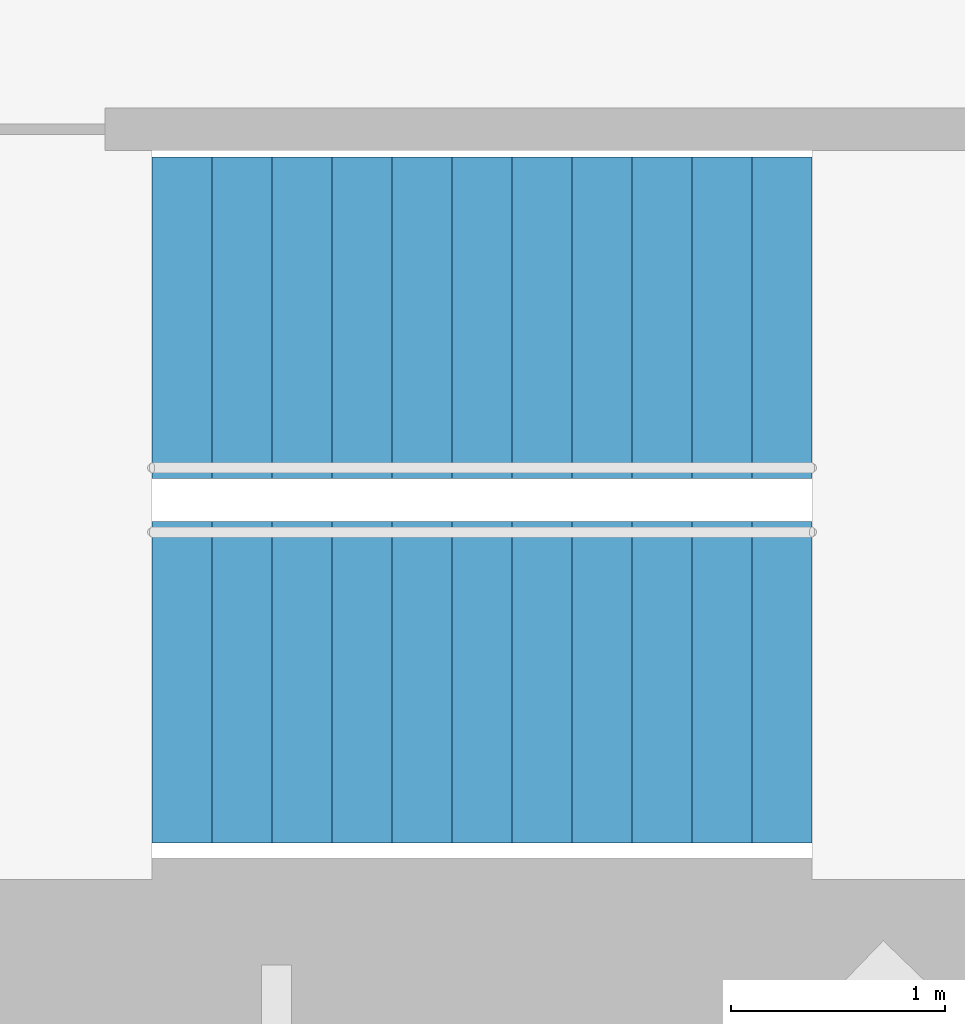
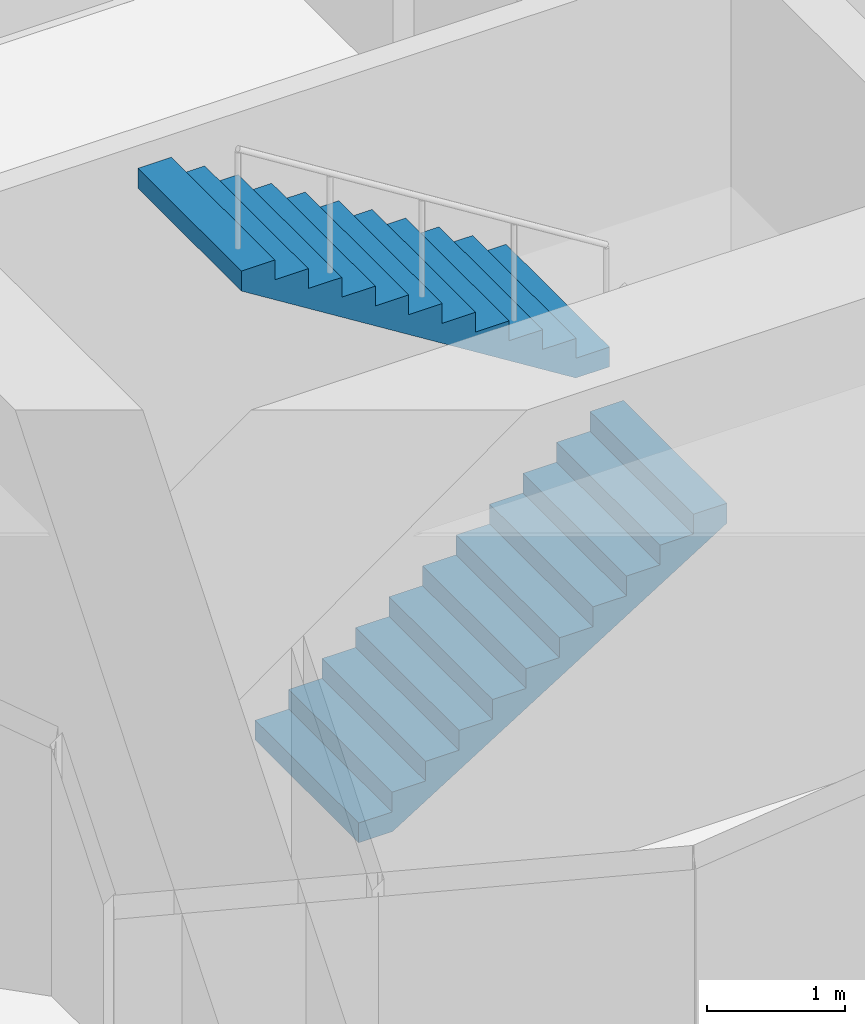
# One storey, part 16 of 18: 2 stair flights, 1 element without a shape of its own.
"""IFC4 building model written with IfcOpenShell, lengths in metres."""

from ifc_helpers import new_model, si_unit, direction, frame, origin, place, context, subcontext, project, spatial, triangles, material, type_object, element, aggregate, save


model = new_model("IFC4")

# Units and contexts
model_context = context("Model", 3, precision=1e-05, world=origin(), true_north=direction((0.0, 1.0)))
body_context = subcontext(model_context, "Body", "Model", "MODEL_VIEW")
ifc_project = project(units=[si_unit("LENGTHUNIT", "METRE"), si_unit("AREAUNIT", "SQUARE_METRE"), si_unit("VOLUMEUNIT", "CUBIC_METRE"), si_unit("PLANEANGLEUNIT", "RADIAN"), si_unit("MASSUNIT", "GRAM", prefix="KILO")], contexts=[model_context])

# Site, building, storey
site_placement = place(None, origin())
site = spatial("IfcSite", under=ifc_project, at=site_placement, CompositionType="ELEMENT")
building_placement = place(site_placement, origin())
building = spatial("IfcBuilding", under=site, at=building_placement, Name="Lantaw Convention Tower", CompositionType="ELEMENT")
storey_placement = place(building_placement, frame((0.0, 0.0, 241.0)))
storey = spatial("IfcBuildingStorey", under=building, at=storey_placement, Name="L56", CompositionType="ELEMENT", Elevation=241.0)

# Stair, stair flights
ifc_material = material(Name="Concrete C35/45", Category="concrete")
stair_type = type_object("IfcStairType", Name="Exit stair 1500 riser 175 in 2 flights", PredefinedType="HALF_TURN_STAIR", material=ifc_material)
stair_placement = place(storey_placement, origin())
stair = element("IfcStair", 1, at=stair_placement, inside=storey, type_object=stair_type, Name="Exit stair S1 L56", PredefinedType="HALF_TURN_STAIR")
stair_flight_type = type_object("IfcStairFlightType", Name="Stair flight 1500 riser 175", PredefinedType="STRAIGHT", material=ifc_material)
stair_flight_1_placement = place(storey_placement, frame((-10.580078125, -5.97998046875, 0.0), z_axis=(0.0, 0.0, 1.0), x_axis=(1.0, 0.0, 0.0)))
stair_flight_1 = element("IfcStairFlight", 2, at=stair_flight_1_placement, type_object=stair_flight_type, Name="S1 flight 1", NumberOfRisers=12, NumberOfTreads=11, PredefinedType="STRAIGHT", RiserHeight=0.175, TreadLength=0.28, context=body_context, shape_type="Tessellation", body=[
    triangles([(0.0, 0.75, 0.0), (0.0, 0.75, 0.175), (0.28, 0.75, 0.0), (0.28, 0.75, 0.175), (0.28, 0.75, 0.35), (0.28283517651771284, 0.75, 0.0), (0.28283517651771284, 0.75, 0.35), (0.56, 0.75, 0.17322801467642948), (0.56, 0.75, 0.35), (0.56, 0.75, 0.5249999999999999), (0.8400000000000001, 0.75, 0.34822801467642944), (0.8400000000000001, 0.75, 0.5249999999999999), (0.8400000000000001, 0.75, 0.7), (1.12, 0.75, 0.5232280146764294), (1.12, 0.75, 0.7), (1.12, 0.75, 0.875), (1.4000000000000001, 0.75, 0.6982280146764295), (1.4000000000000001, 0.75, 0.875), (1.4000000000000001, 0.75, 1.0499999999999998), (1.6800000000000002, 0.75, 0.8732280146764294), (1.6800000000000002, 0.75, 1.0499999999999998), (1.6800000000000002, 0.75, 1.2249999999999999), (1.9600000000000002, 0.75, 1.0482280146764293), (1.9600000000000002, 0.75, 1.2249999999999999), (1.9600000000000002, 0.75, 1.4), (2.24, 0.75, 1.2232280146764294), (2.24, 0.75, 1.4), (2.24, 0.75, 1.575), (2.5200000000000005, 0.75, 1.3982280146764294), (2.5200000000000005, 0.75, 1.575), (2.5200000000000005, 0.75, 1.75), (2.8000000000000003, 0.75, 1.5732280146764293), (2.8000000000000003, 0.75, 1.75), (2.8000000000000003, 0.75, 1.9249999999999998), (3.08, 0.75, 1.7482280146764293), (3.08, 0.75, 1.9249999999999998), (0.0, -0.75, 0.0), (0.0, -0.75, 0.175), (0.28, -0.75, 0.0), (0.28, -0.75, 0.175), (0.28, -0.75, 0.35), (0.28283517651771284, -0.75, 0.0), (0.28283517651771284, -0.75, 0.35), (0.56, -0.75, 0.17322801467642948), (0.56, -0.75, 0.35), (0.56, -0.75, 0.5249999999999999), (0.8400000000000001, -0.75, 0.34822801467642944), (0.8400000000000001, -0.75, 0.5249999999999999), (0.8400000000000001, -0.75, 0.7), (1.12, -0.75, 0.5232280146764294), (1.12, -0.75, 0.7), (1.12, -0.75, 0.875), (1.4000000000000001, -0.75, 0.6982280146764295), (1.4000000000000001, -0.75, 0.875), (1.4000000000000001, -0.75, 1.0499999999999998), (1.6800000000000002, -0.75, 0.8732280146764294), (1.6800000000000002, -0.75, 1.0499999999999998), (1.6800000000000002, -0.75, 1.2249999999999999), (1.9600000000000002, -0.75, 1.0482280146764293), (1.9600000000000002, -0.75, 1.2249999999999999), (1.9600000000000002, -0.75, 1.4), (2.24, -0.75, 1.2232280146764294), (2.24, -0.75, 1.4), (2.24, -0.75, 1.575), (2.5200000000000005, -0.75, 1.3982280146764294), (2.5200000000000005, -0.75, 1.575), (2.5200000000000005, -0.75, 1.75), (2.8000000000000003, -0.75, 1.5732280146764293), (2.8000000000000003, -0.75, 1.75), (2.8000000000000003, -0.75, 1.9249999999999998), (3.08, -0.75, 1.7482280146764293), (3.08, -0.75, 1.9249999999999998), (0.0, 0.15000000000000002, 0.175), (0.0, 0.15000000000000002, 0.0), (0.0, 0.0, 0.175), (0.0, 0.0, 0.0), (0.0, -0.15000000000000002, 0.175), (0.0, -0.15000000000000002, 0.0), (0.28, 0.15000000000000002, 0.35), (0.28, 0.15000000000000002, 0.175), (0.28, 0.0, 0.35), (0.28, 0.0, 0.175), (0.28, -0.15000000000000002, 0.35), (0.28, -0.15000000000000002, 0.175), (0.56, 0.15000000000000002, 0.5249999999999999), (0.56, 0.15000000000000002, 0.35), (0.56, 0.0, 0.5249999999999999), (0.56, 0.0, 0.35), (0.56, -0.15000000000000002, 0.5249999999999999), (0.56, -0.15000000000000002, 0.35), (0.8400000000000001, 0.15000000000000002, 0.7), (0.8400000000000001, 0.15000000000000002, 0.5249999999999999), (0.8400000000000001, 0.0, 0.7), (0.8400000000000001, 0.0, 0.5249999999999999), (0.8400000000000001, -0.15000000000000002, 0.7), (0.8400000000000001, -0.15000000000000002, 0.5249999999999999), (1.12, 0.15000000000000002, 0.875), (1.12, 0.15000000000000002, 0.7), (1.12, 0.0, 0.875), (1.12, 0.0, 0.7), (1.12, -0.15000000000000002, 0.875), (1.12, -0.15000000000000002, 0.7), (1.4000000000000001, 0.15000000000000002, 1.0499999999999998), (1.4000000000000001, 0.15000000000000002, 0.875), (1.4000000000000001, 0.0, 1.0499999999999998), (1.4000000000000001, 0.0, 0.875), (1.4000000000000001, -0.15000000000000002, 1.0499999999999998), (1.4000000000000001, -0.15000000000000002, 0.875), (1.6800000000000002, 0.15000000000000002, 1.2249999999999999), (1.6800000000000002, 0.15000000000000002, 1.0499999999999998), (1.6800000000000002, 0.0, 1.2249999999999999), (1.6800000000000002, 0.0, 1.0499999999999998), (1.6800000000000002, -0.15000000000000002, 1.2249999999999999), (1.6800000000000002, -0.15000000000000002, 1.0499999999999998), (1.9600000000000002, 0.15000000000000002, 1.4), (1.9600000000000002, 0.15000000000000002, 1.2249999999999999), (1.9600000000000002, 0.0, 1.4), (1.9600000000000002, 0.0, 1.2249999999999999), (1.9600000000000002, -0.15000000000000002, 1.4), (1.9600000000000002, -0.15000000000000002, 1.2249999999999999), (2.24, 0.15000000000000002, 1.575), (2.24, 0.15000000000000002, 1.4), (2.24, 0.0, 1.575), (2.24, 0.0, 1.4), (2.24, -0.15000000000000002, 1.575), (2.24, -0.15000000000000002, 1.4), (2.5200000000000005, 0.15000000000000002, 1.75), (2.5200000000000005, 0.15000000000000002, 1.575), (2.5200000000000005, 0.0, 1.75), (2.5200000000000005, 0.0, 1.575), (2.5200000000000005, -0.15000000000000002, 1.75), (2.5200000000000005, -0.15000000000000002, 1.575), (2.8000000000000003, 0.15000000000000002, 1.9249999999999998), (2.8000000000000003, 0.15000000000000002, 1.75), (2.8000000000000003, 0.0, 1.9249999999999998), (2.8000000000000003, 0.0, 1.75), (2.8000000000000003, -0.15000000000000002, 1.9249999999999998), (2.8000000000000003, -0.15000000000000002, 1.75), (0.28283517651771284, 0.15000000000000002, 0.35), (0.28283517651771284, 0.0, 0.35), (0.28283517651771284, -0.15000000000000002, 0.35), (3.08, 0.15000000000000002, 1.9249999999999998), (3.08, 0.0, 1.9249999999999998), (3.08, -0.15000000000000002, 1.9249999999999998), (3.08, 0.15000000000000002, 1.7482280146764293), (3.08, 0.0, 1.7482280146764293), (3.08, -0.15000000000000002, 1.7482280146764293), (2.8000000000000003, 0.15000000000000002, 1.5732280146764293), (2.8000000000000003, 0.0, 1.5732280146764293), (2.8000000000000003, -0.15000000000000002, 1.5732280146764293), (2.5200000000000005, 0.15000000000000002, 1.3982280146764294), (2.5200000000000005, 0.0, 1.3982280146764294), (2.5200000000000005, -0.15000000000000002, 1.3982280146764294), (2.24, 0.15000000000000002, 1.2232280146764294), (2.24, 0.0, 1.2232280146764294), (2.24, -0.15000000000000002, 1.2232280146764294), (1.9600000000000002, 0.15000000000000002, 1.0482280146764293), (1.9600000000000002, 0.0, 1.0482280146764293), (1.9600000000000002, -0.15000000000000002, 1.0482280146764293), (1.6800000000000002, 0.15000000000000002, 0.8732280146764294), (1.6800000000000002, 0.0, 0.8732280146764294), (1.6800000000000002, -0.15000000000000002, 0.8732280146764294), (1.4000000000000001, 0.15000000000000002, 0.6982280146764295), (1.4000000000000001, 0.0, 0.6982280146764295), (1.4000000000000001, -0.15000000000000002, 0.6982280146764295), (1.12, 0.15000000000000002, 0.5232280146764294), (1.12, 0.0, 0.5232280146764294), (1.12, -0.15000000000000002, 0.5232280146764294), (0.8400000000000001, 0.15000000000000002, 0.34822801467642944), (0.8400000000000001, 0.0, 0.34822801467642944), (0.8400000000000001, -0.15000000000000002, 0.34822801467642944), (0.56, 0.15000000000000002, 0.17322801467642948), (0.56, 0.0, 0.17322801467642948), (0.56, -0.15000000000000002, 0.17322801467642948), (0.28283517651771284, 0.15000000000000002, 0.0), (0.28283517651771284, 0.0, 0.0), (0.28283517651771284, -0.15000000000000002, 0.0), (0.28, 0.15000000000000002, 0.0), (0.28, 0.0, 0.0), (0.28, -0.15000000000000002, 0.0)], [[1, 4, 3], [1, 2, 4], [3, 4, 6], [4, 7, 6], [4, 5, 7], [6, 9, 8], [6, 7, 9], [8, 9, 11], [9, 12, 11], [9, 10, 12], [11, 12, 14], [12, 15, 14], [12, 13, 15], [14, 15, 17], [15, 18, 17], [15, 16, 18], [17, 18, 20], [18, 21, 20], [18, 19, 21], [20, 21, 23], [21, 24, 23], [21, 22, 24], [23, 24, 26], [24, 27, 26], [24, 25, 27], [26, 27, 29], [27, 30, 29], [27, 28, 30], [29, 30, 32], [30, 33, 32], [30, 31, 33], [32, 33, 35], [33, 36, 35], [33, 34, 36], [37, 39, 40], [37, 40, 38], [39, 42, 40], [40, 42, 43], [40, 43, 41], [42, 44, 45], [42, 45, 43], [44, 47, 45], [45, 47, 48], [45, 48, 46], [47, 50, 48], [48, 50, 51], [48, 51, 49], [50, 53, 51], [51, 53, 54], [51, 54, 52], [53, 56, 54], [54, 56, 57], [54, 57, 55], [56, 59, 57], [57, 59, 60], [57, 60, 58], [59, 62, 60], [60, 62, 63], [60, 63, 61], [62, 65, 63], [63, 65, 66], [63, 66, 64], [65, 68, 66], [66, 68, 69], [66, 69, 67], [68, 71, 69], [69, 71, 72], [69, 72, 70], [1, 73, 2], [1, 74, 73], [74, 75, 73], [74, 76, 75], [76, 77, 75], [76, 78, 77], [78, 38, 77], [78, 37, 38], [4, 79, 5], [4, 80, 79], [80, 81, 79], [80, 82, 81], [82, 83, 81], [82, 84, 83], [84, 41, 83], [84, 40, 41], [9, 85, 10], [9, 86, 85], [86, 87, 85], [86, 88, 87], [88, 89, 87], [88, 90, 89], [90, 46, 89], [90, 45, 46], [12, 91, 13], [12, 92, 91], [92, 93, 91], [92, 94, 93], [94, 95, 93], [94, 96, 95], [96, 49, 95], [96, 48, 49], [15, 97, 16], [15, 98, 97], [98, 99, 97], [98, 100, 99], [100, 101, 99], [100, 102, 101], [102, 52, 101], [102, 51, 52], [18, 103, 19], [18, 104, 103], [104, 105, 103], [104, 106, 105], [106, 107, 105], [106, 108, 107], [108, 55, 107], [108, 54, 55], [21, 109, 22], [21, 110, 109], [110, 111, 109], [110, 112, 111], [112, 113, 111], [112, 114, 113], [114, 58, 113], [114, 57, 58], [24, 115, 25], [24, 116, 115], [116, 117, 115], [116, 118, 117], [118, 119, 117], [118, 120, 119], [120, 61, 119], [120, 60, 61], [27, 121, 28], [27, 122, 121], [122, 123, 121], [122, 124, 123], [124, 125, 123], [124, 126, 125], [126, 64, 125], [126, 63, 64], [30, 127, 31], [30, 128, 127], [128, 129, 127], [128, 130, 129], [130, 131, 129], [130, 132, 131], [132, 67, 131], [132, 66, 67], [33, 133, 34], [33, 134, 133], [134, 135, 133], [134, 136, 135], [136, 137, 135], [136, 138, 137], [138, 70, 137], [138, 69, 70], [2, 80, 4], [2, 73, 80], [73, 82, 80], [73, 75, 82], [75, 84, 82], [75, 77, 84], [77, 40, 84], [77, 38, 40], [5, 139, 7], [5, 79, 139], [79, 140, 139], [79, 81, 140], [81, 141, 140], [81, 83, 141], [83, 43, 141], [83, 41, 43], [7, 86, 9], [7, 139, 86], [139, 88, 86], [139, 140, 88], [140, 90, 88], [140, 141, 90], [141, 45, 90], [141, 43, 45], [10, 92, 12], [10, 85, 92], [85, 94, 92], [85, 87, 94], [87, 96, 94], [87, 89, 96], [89, 48, 96], [89, 46, 48], [13, 98, 15], [13, 91, 98], [91, 100, 98], [91, 93, 100], [93, 102, 100], [93, 95, 102], [95, 51, 102], [95, 49, 51], [16, 104, 18], [16, 97, 104], [97, 106, 104], [97, 99, 106], [99, 108, 106], [99, 101, 108], [101, 54, 108], [101, 52, 54], [19, 110, 21], [19, 103, 110], [103, 112, 110], [103, 105, 112], [105, 114, 112], [105, 107, 114], [107, 57, 114], [107, 55, 57], [22, 116, 24], [22, 109, 116], [109, 118, 116], [109, 111, 118], [111, 120, 118], [111, 113, 120], [113, 60, 120], [113, 58, 60], [25, 122, 27], [25, 115, 122], [115, 124, 122], [115, 117, 124], [117, 126, 124], [117, 119, 126], [119, 63, 126], [119, 61, 63], [28, 128, 30], [28, 121, 128], [121, 130, 128], [121, 123, 130], [123, 132, 130], [123, 125, 132], [125, 66, 132], [125, 64, 66], [31, 134, 33], [31, 127, 134], [127, 136, 134], [127, 129, 136], [129, 138, 136], [129, 131, 138], [131, 69, 138], [131, 67, 69], [34, 142, 36], [34, 133, 142], [133, 143, 142], [133, 135, 143], [135, 144, 143], [135, 137, 144], [137, 72, 144], [137, 70, 72], [36, 145, 35], [36, 142, 145], [142, 146, 145], [142, 143, 146], [143, 147, 146], [143, 144, 147], [144, 71, 147], [144, 72, 71], [35, 148, 32], [35, 145, 148], [145, 149, 148], [145, 146, 149], [146, 150, 149], [146, 147, 150], [147, 68, 150], [147, 71, 68], [32, 151, 29], [32, 148, 151], [148, 152, 151], [148, 149, 152], [149, 153, 152], [149, 150, 153], [150, 65, 153], [150, 68, 65], [29, 154, 26], [29, 151, 154], [151, 155, 154], [151, 152, 155], [152, 156, 155], [152, 153, 156], [153, 62, 156], [153, 65, 62], [26, 157, 23], [26, 154, 157], [154, 158, 157], [154, 155, 158], [155, 159, 158], [155, 156, 159], [156, 59, 159], [156, 62, 59], [23, 160, 20], [23, 157, 160], [157, 161, 160], [157, 158, 161], [158, 162, 161], [158, 159, 162], [159, 56, 162], [159, 59, 56], [20, 163, 17], [20, 160, 163], [160, 164, 163], [160, 161, 164], [161, 165, 164], [161, 162, 165], [162, 53, 165], [162, 56, 53], [17, 166, 14], [17, 163, 166], [163, 167, 166], [163, 164, 167], [164, 168, 167], [164, 165, 168], [165, 50, 168], [165, 53, 50], [14, 169, 11], [14, 166, 169], [166, 170, 169], [166, 167, 170], [167, 171, 170], [167, 168, 171], [168, 47, 171], [168, 50, 47], [11, 172, 8], [11, 169, 172], [169, 173, 172], [169, 170, 173], [170, 174, 173], [170, 171, 174], [171, 44, 174], [171, 47, 44], [8, 175, 6], [8, 172, 175], [172, 176, 175], [172, 173, 176], [173, 177, 176], [173, 174, 177], [174, 42, 177], [174, 44, 42], [6, 178, 3], [6, 175, 178], [175, 179, 178], [175, 176, 179], [176, 180, 179], [176, 177, 180], [177, 39, 180], [177, 42, 39], [3, 74, 1], [3, 178, 74], [178, 76, 74], [178, 179, 76], [179, 78, 76], [179, 180, 78], [180, 37, 78], [180, 39, 37]], closed=True),
])
stair_flight_2_placement = place(storey_placement, frame((-7.5, -4.280029296875, 2.10009765625), z_axis=(0.0, 0.0, 1.0), x_axis=(-1.0, 0.0, 0.0)))
stair_flight_2 = element("IfcStairFlight", 3, at=stair_flight_2_placement, type_object=stair_flight_type, Name="S1 flight 2", NumberOfRisers=12, NumberOfTreads=11, PredefinedType="STRAIGHT", RiserHeight=0.175, TreadLength=0.28, context=body_context, shape_type="Tessellation", body=[
    triangles([(0.0, 0.75, 0.0), (0.0, 0.75, 0.175), (0.28, 0.75, 0.0), (0.28, 0.75, 0.175), (0.28, 0.75, 0.35), (0.28283517651771284, 0.75, 0.0), (0.28283517651771284, 0.75, 0.35), (0.56, 0.75, 0.17322801467642948), (0.56, 0.75, 0.35), (0.56, 0.75, 0.5249999999999999), (0.8400000000000001, 0.75, 0.34822801467642944), (0.8400000000000001, 0.75, 0.5249999999999999), (0.8400000000000001, 0.75, 0.7), (1.12, 0.75, 0.5232280146764294), (1.12, 0.75, 0.7), (1.12, 0.75, 0.875), (1.4000000000000001, 0.75, 0.6982280146764295), (1.4000000000000001, 0.75, 0.875), (1.4000000000000001, 0.75, 1.0499999999999998), (1.6800000000000002, 0.75, 0.8732280146764294), (1.6800000000000002, 0.75, 1.0499999999999998), (1.6800000000000002, 0.75, 1.2249999999999999), (1.9600000000000002, 0.75, 1.0482280146764293), (1.9600000000000002, 0.75, 1.2249999999999999), (1.9600000000000002, 0.75, 1.4), (2.24, 0.75, 1.2232280146764294), (2.24, 0.75, 1.4), (2.24, 0.75, 1.575), (2.5200000000000005, 0.75, 1.3982280146764294), (2.5200000000000005, 0.75, 1.575), (2.5200000000000005, 0.75, 1.75), (2.8000000000000003, 0.75, 1.5732280146764293), (2.8000000000000003, 0.75, 1.75), (2.8000000000000003, 0.75, 1.9249999999999998), (3.08, 0.75, 1.7482280146764293), (3.08, 0.75, 1.9249999999999998), (0.0, -0.75, 0.0), (0.0, -0.75, 0.175), (0.28, -0.75, 0.0), (0.28, -0.75, 0.175), (0.28, -0.75, 0.35), (0.28283517651771284, -0.75, 0.0), (0.28283517651771284, -0.75, 0.35), (0.56, -0.75, 0.17322801467642948), (0.56, -0.75, 0.35), (0.56, -0.75, 0.5249999999999999), (0.8400000000000001, -0.75, 0.34822801467642944), (0.8400000000000001, -0.75, 0.5249999999999999), (0.8400000000000001, -0.75, 0.7), (1.12, -0.75, 0.5232280146764294), (1.12, -0.75, 0.7), (1.12, -0.75, 0.875), (1.4000000000000001, -0.75, 0.6982280146764295), (1.4000000000000001, -0.75, 0.875), (1.4000000000000001, -0.75, 1.0499999999999998), (1.6800000000000002, -0.75, 0.8732280146764294), (1.6800000000000002, -0.75, 1.0499999999999998), (1.6800000000000002, -0.75, 1.2249999999999999), (1.9600000000000002, -0.75, 1.0482280146764293), (1.9600000000000002, -0.75, 1.2249999999999999), (1.9600000000000002, -0.75, 1.4), (2.24, -0.75, 1.2232280146764294), (2.24, -0.75, 1.4), (2.24, -0.75, 1.575), (2.5200000000000005, -0.75, 1.3982280146764294), (2.5200000000000005, -0.75, 1.575), (2.5200000000000005, -0.75, 1.75), (2.8000000000000003, -0.75, 1.5732280146764293), (2.8000000000000003, -0.75, 1.75), (2.8000000000000003, -0.75, 1.9249999999999998), (3.08, -0.75, 1.7482280146764293), (3.08, -0.75, 1.9249999999999998), (0.0, 0.15000000000000002, 0.175), (0.0, 0.15000000000000002, 0.0), (0.0, 0.0, 0.175), (0.0, 0.0, 0.0), (0.0, -0.15000000000000002, 0.175), (0.0, -0.15000000000000002, 0.0), (0.28, 0.15000000000000002, 0.35), (0.28, 0.15000000000000002, 0.175), (0.28, 0.0, 0.35), (0.28, 0.0, 0.175), (0.28, -0.15000000000000002, 0.35), (0.28, -0.15000000000000002, 0.175), (0.56, 0.15000000000000002, 0.5249999999999999), (0.56, 0.15000000000000002, 0.35), (0.56, 0.0, 0.5249999999999999), (0.56, 0.0, 0.35), (0.56, -0.15000000000000002, 0.5249999999999999), (0.56, -0.15000000000000002, 0.35), (0.8400000000000001, 0.15000000000000002, 0.7), (0.8400000000000001, 0.15000000000000002, 0.5249999999999999), (0.8400000000000001, 0.0, 0.7), (0.8400000000000001, 0.0, 0.5249999999999999), (0.8400000000000001, -0.15000000000000002, 0.7), (0.8400000000000001, -0.15000000000000002, 0.5249999999999999), (1.12, 0.15000000000000002, 0.875), (1.12, 0.15000000000000002, 0.7), (1.12, 0.0, 0.875), (1.12, 0.0, 0.7), (1.12, -0.15000000000000002, 0.875), (1.12, -0.15000000000000002, 0.7), (1.4000000000000001, 0.15000000000000002, 1.0499999999999998), (1.4000000000000001, 0.15000000000000002, 0.875), (1.4000000000000001, 0.0, 1.0499999999999998), (1.4000000000000001, 0.0, 0.875), (1.4000000000000001, -0.15000000000000002, 1.0499999999999998), (1.4000000000000001, -0.15000000000000002, 0.875), (1.6800000000000002, 0.15000000000000002, 1.2249999999999999), (1.6800000000000002, 0.15000000000000002, 1.0499999999999998), (1.6800000000000002, 0.0, 1.2249999999999999), (1.6800000000000002, 0.0, 1.0499999999999998), (1.6800000000000002, -0.15000000000000002, 1.2249999999999999), (1.6800000000000002, -0.15000000000000002, 1.0499999999999998), (1.9600000000000002, 0.15000000000000002, 1.4), (1.9600000000000002, 0.15000000000000002, 1.2249999999999999), (1.9600000000000002, 0.0, 1.4), (1.9600000000000002, 0.0, 1.2249999999999999), (1.9600000000000002, -0.15000000000000002, 1.4), (1.9600000000000002, -0.15000000000000002, 1.2249999999999999), (2.24, 0.15000000000000002, 1.575), (2.24, 0.15000000000000002, 1.4), (2.24, 0.0, 1.575), (2.24, 0.0, 1.4), (2.24, -0.15000000000000002, 1.575), (2.24, -0.15000000000000002, 1.4), (2.5200000000000005, 0.15000000000000002, 1.75), (2.5200000000000005, 0.15000000000000002, 1.575), (2.5200000000000005, 0.0, 1.75), (2.5200000000000005, 0.0, 1.575), (2.5200000000000005, -0.15000000000000002, 1.75), (2.5200000000000005, -0.15000000000000002, 1.575), (2.8000000000000003, 0.15000000000000002, 1.9249999999999998), (2.8000000000000003, 0.15000000000000002, 1.75), (2.8000000000000003, 0.0, 1.9249999999999998), (2.8000000000000003, 0.0, 1.75), (2.8000000000000003, -0.15000000000000002, 1.9249999999999998), (2.8000000000000003, -0.15000000000000002, 1.75), (0.28283517651771284, 0.15000000000000002, 0.35), (0.28283517651771284, 0.0, 0.35), (0.28283517651771284, -0.15000000000000002, 0.35), (3.08, 0.15000000000000002, 1.9249999999999998), (3.08, 0.0, 1.9249999999999998), (3.08, -0.15000000000000002, 1.9249999999999998), (3.08, 0.15000000000000002, 1.7482280146764293), (3.08, 0.0, 1.7482280146764293), (3.08, -0.15000000000000002, 1.7482280146764293), (2.8000000000000003, 0.15000000000000002, 1.5732280146764293), (2.8000000000000003, 0.0, 1.5732280146764293), (2.8000000000000003, -0.15000000000000002, 1.5732280146764293), (2.5200000000000005, 0.15000000000000002, 1.3982280146764294), (2.5200000000000005, 0.0, 1.3982280146764294), (2.5200000000000005, -0.15000000000000002, 1.3982280146764294), (2.24, 0.15000000000000002, 1.2232280146764294), (2.24, 0.0, 1.2232280146764294), (2.24, -0.15000000000000002, 1.2232280146764294), (1.9600000000000002, 0.15000000000000002, 1.0482280146764293), (1.9600000000000002, 0.0, 1.0482280146764293), (1.9600000000000002, -0.15000000000000002, 1.0482280146764293), (1.6800000000000002, 0.15000000000000002, 0.8732280146764294), (1.6800000000000002, 0.0, 0.8732280146764294), (1.6800000000000002, -0.15000000000000002, 0.8732280146764294), (1.4000000000000001, 0.15000000000000002, 0.6982280146764295), (1.4000000000000001, 0.0, 0.6982280146764295), (1.4000000000000001, -0.15000000000000002, 0.6982280146764295), (1.12, 0.15000000000000002, 0.5232280146764294), (1.12, 0.0, 0.5232280146764294), (1.12, -0.15000000000000002, 0.5232280146764294), (0.8400000000000001, 0.15000000000000002, 0.34822801467642944), (0.8400000000000001, 0.0, 0.34822801467642944), (0.8400000000000001, -0.15000000000000002, 0.34822801467642944), (0.56, 0.15000000000000002, 0.17322801467642948), (0.56, 0.0, 0.17322801467642948), (0.56, -0.15000000000000002, 0.17322801467642948), (0.28283517651771284, 0.15000000000000002, 0.0), (0.28283517651771284, 0.0, 0.0), (0.28283517651771284, -0.15000000000000002, 0.0), (0.28, 0.15000000000000002, 0.0), (0.28, 0.0, 0.0), (0.28, -0.15000000000000002, 0.0)], [[1, 4, 3], [1, 2, 4], [3, 4, 6], [4, 7, 6], [4, 5, 7], [6, 9, 8], [6, 7, 9], [8, 9, 11], [9, 12, 11], [9, 10, 12], [11, 12, 14], [12, 15, 14], [12, 13, 15], [14, 15, 17], [15, 18, 17], [15, 16, 18], [17, 18, 20], [18, 21, 20], [18, 19, 21], [20, 21, 23], [21, 24, 23], [21, 22, 24], [23, 24, 26], [24, 27, 26], [24, 25, 27], [26, 27, 29], [27, 30, 29], [27, 28, 30], [29, 30, 32], [30, 33, 32], [30, 31, 33], [32, 33, 35], [33, 36, 35], [33, 34, 36], [37, 39, 40], [37, 40, 38], [39, 42, 40], [40, 42, 43], [40, 43, 41], [42, 44, 45], [42, 45, 43], [44, 47, 45], [45, 47, 48], [45, 48, 46], [47, 50, 48], [48, 50, 51], [48, 51, 49], [50, 53, 51], [51, 53, 54], [51, 54, 52], [53, 56, 54], [54, 56, 57], [54, 57, 55], [56, 59, 57], [57, 59, 60], [57, 60, 58], [59, 62, 60], [60, 62, 63], [60, 63, 61], [62, 65, 63], [63, 65, 66], [63, 66, 64], [65, 68, 66], [66, 68, 69], [66, 69, 67], [68, 71, 69], [69, 71, 72], [69, 72, 70], [1, 73, 2], [1, 74, 73], [74, 75, 73], [74, 76, 75], [76, 77, 75], [76, 78, 77], [78, 38, 77], [78, 37, 38], [4, 79, 5], [4, 80, 79], [80, 81, 79], [80, 82, 81], [82, 83, 81], [82, 84, 83], [84, 41, 83], [84, 40, 41], [9, 85, 10], [9, 86, 85], [86, 87, 85], [86, 88, 87], [88, 89, 87], [88, 90, 89], [90, 46, 89], [90, 45, 46], [12, 91, 13], [12, 92, 91], [92, 93, 91], [92, 94, 93], [94, 95, 93], [94, 96, 95], [96, 49, 95], [96, 48, 49], [15, 97, 16], [15, 98, 97], [98, 99, 97], [98, 100, 99], [100, 101, 99], [100, 102, 101], [102, 52, 101], [102, 51, 52], [18, 103, 19], [18, 104, 103], [104, 105, 103], [104, 106, 105], [106, 107, 105], [106, 108, 107], [108, 55, 107], [108, 54, 55], [21, 109, 22], [21, 110, 109], [110, 111, 109], [110, 112, 111], [112, 113, 111], [112, 114, 113], [114, 58, 113], [114, 57, 58], [24, 115, 25], [24, 116, 115], [116, 117, 115], [116, 118, 117], [118, 119, 117], [118, 120, 119], [120, 61, 119], [120, 60, 61], [27, 121, 28], [27, 122, 121], [122, 123, 121], [122, 124, 123], [124, 125, 123], [124, 126, 125], [126, 64, 125], [126, 63, 64], [30, 127, 31], [30, 128, 127], [128, 129, 127], [128, 130, 129], [130, 131, 129], [130, 132, 131], [132, 67, 131], [132, 66, 67], [33, 133, 34], [33, 134, 133], [134, 135, 133], [134, 136, 135], [136, 137, 135], [136, 138, 137], [138, 70, 137], [138, 69, 70], [2, 80, 4], [2, 73, 80], [73, 82, 80], [73, 75, 82], [75, 84, 82], [75, 77, 84], [77, 40, 84], [77, 38, 40], [5, 139, 7], [5, 79, 139], [79, 140, 139], [79, 81, 140], [81, 141, 140], [81, 83, 141], [83, 43, 141], [83, 41, 43], [7, 86, 9], [7, 139, 86], [139, 88, 86], [139, 140, 88], [140, 90, 88], [140, 141, 90], [141, 45, 90], [141, 43, 45], [10, 92, 12], [10, 85, 92], [85, 94, 92], [85, 87, 94], [87, 96, 94], [87, 89, 96], [89, 48, 96], [89, 46, 48], [13, 98, 15], [13, 91, 98], [91, 100, 98], [91, 93, 100], [93, 102, 100], [93, 95, 102], [95, 51, 102], [95, 49, 51], [16, 104, 18], [16, 97, 104], [97, 106, 104], [97, 99, 106], [99, 108, 106], [99, 101, 108], [101, 54, 108], [101, 52, 54], [19, 110, 21], [19, 103, 110], [103, 112, 110], [103, 105, 112], [105, 114, 112], [105, 107, 114], [107, 57, 114], [107, 55, 57], [22, 116, 24], [22, 109, 116], [109, 118, 116], [109, 111, 118], [111, 120, 118], [111, 113, 120], [113, 60, 120], [113, 58, 60], [25, 122, 27], [25, 115, 122], [115, 124, 122], [115, 117, 124], [117, 126, 124], [117, 119, 126], [119, 63, 126], [119, 61, 63], [28, 128, 30], [28, 121, 128], [121, 130, 128], [121, 123, 130], [123, 132, 130], [123, 125, 132], [125, 66, 132], [125, 64, 66], [31, 134, 33], [31, 127, 134], [127, 136, 134], [127, 129, 136], [129, 138, 136], [129, 131, 138], [131, 69, 138], [131, 67, 69], [34, 142, 36], [34, 133, 142], [133, 143, 142], [133, 135, 143], [135, 144, 143], [135, 137, 144], [137, 72, 144], [137, 70, 72], [36, 145, 35], [36, 142, 145], [142, 146, 145], [142, 143, 146], [143, 147, 146], [143, 144, 147], [144, 71, 147], [144, 72, 71], [35, 148, 32], [35, 145, 148], [145, 149, 148], [145, 146, 149], [146, 150, 149], [146, 147, 150], [147, 68, 150], [147, 71, 68], [32, 151, 29], [32, 148, 151], [148, 152, 151], [148, 149, 152], [149, 153, 152], [149, 150, 153], [150, 65, 153], [150, 68, 65], [29, 154, 26], [29, 151, 154], [151, 155, 154], [151, 152, 155], [152, 156, 155], [152, 153, 156], [153, 62, 156], [153, 65, 62], [26, 157, 23], [26, 154, 157], [154, 158, 157], [154, 155, 158], [155, 159, 158], [155, 156, 159], [156, 59, 159], [156, 62, 59], [23, 160, 20], [23, 157, 160], [157, 161, 160], [157, 158, 161], [158, 162, 161], [158, 159, 162], [159, 56, 162], [159, 59, 56], [20, 163, 17], [20, 160, 163], [160, 164, 163], [160, 161, 164], [161, 165, 164], [161, 162, 165], [162, 53, 165], [162, 56, 53], [17, 166, 14], [17, 163, 166], [163, 167, 166], [163, 164, 167], [164, 168, 167], [164, 165, 168], [165, 50, 168], [165, 53, 50], [14, 169, 11], [14, 166, 169], [166, 170, 169], [166, 167, 170], [167, 171, 170], [167, 168, 171], [168, 47, 171], [168, 50, 47], [11, 172, 8], [11, 169, 172], [169, 173, 172], [169, 170, 173], [170, 174, 173], [170, 171, 174], [171, 44, 174], [171, 47, 44], [8, 175, 6], [8, 172, 175], [172, 176, 175], [172, 173, 176], [173, 177, 176], [173, 174, 177], [174, 42, 177], [174, 44, 42], [6, 178, 3], [6, 175, 178], [175, 179, 178], [175, 176, 179], [176, 180, 179], [176, 177, 180], [177, 39, 180], [177, 42, 39], [3, 74, 1], [3, 178, 74], [178, 76, 74], [178, 179, 76], [179, 78, 76], [179, 180, 78], [180, 37, 78], [180, 39, 37]], closed=True),
])
aggregate(stair, [stair_flight_1, stair_flight_2])

save(model, "model.ifc")
